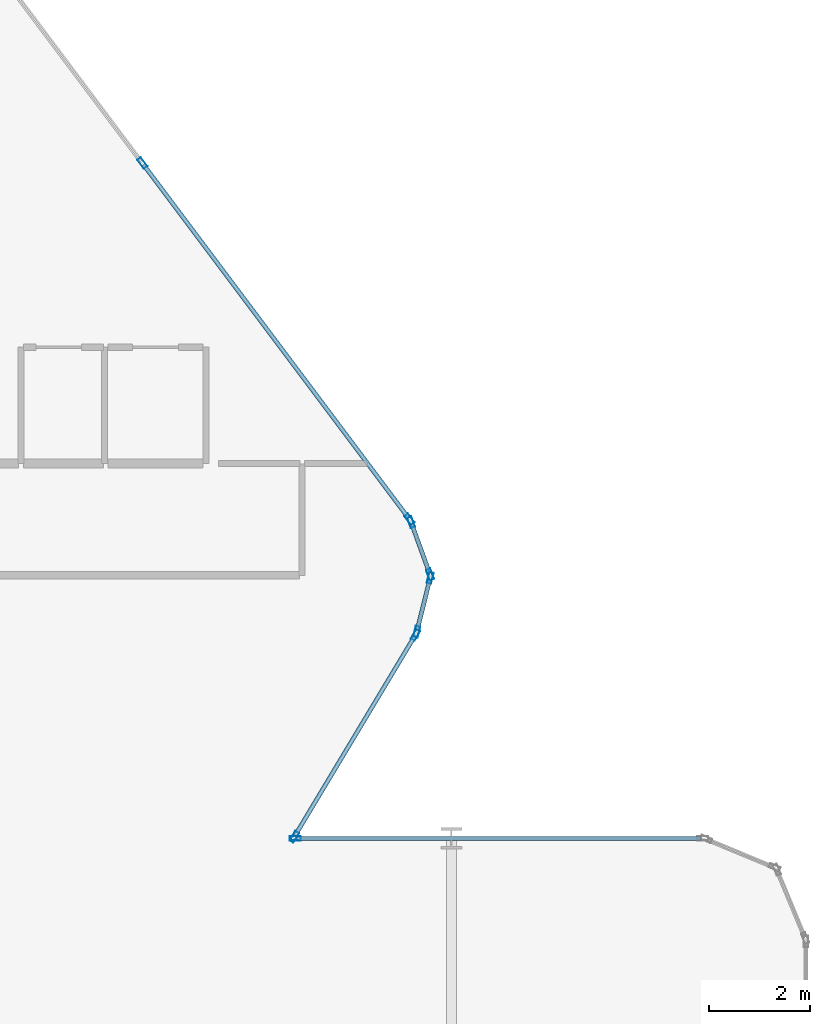
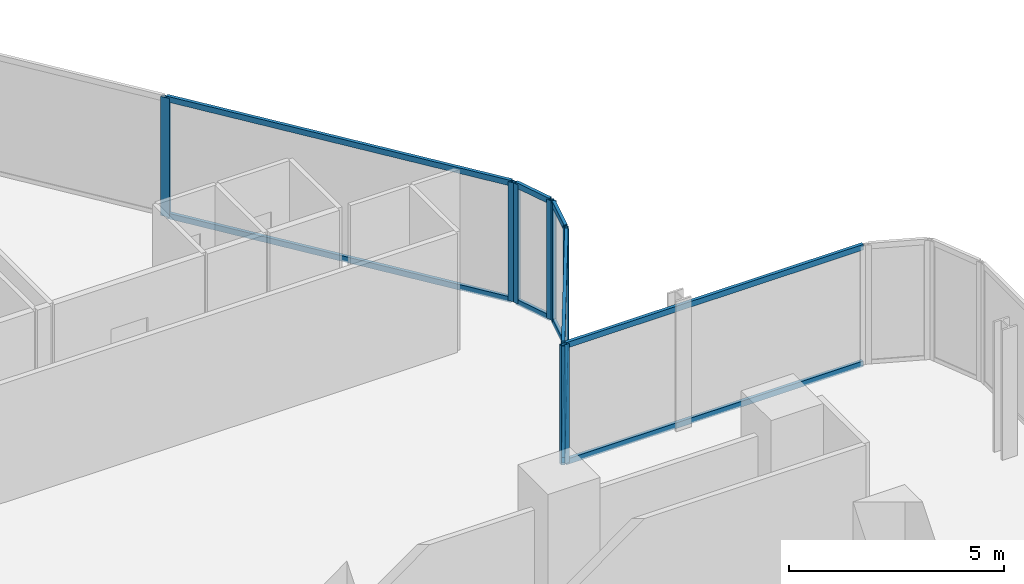
# One storey, part 15 of 33: 19 members, 5 elements without a shape of their own.
"""IFC4 building model written with IfcOpenShell, lengths in metres."""

from ifc_helpers import new_model, si_unit, direction, frame, origin, origin_2d, place, context, subcontext, project, spatial, hollow_rectangle, extrude, material, layer, layer_set, material_profile, profile_set, type_object, element, aggregate, save


model = new_model("IFC4")

# Units and contexts
model_context = context("Model", 3, precision=1e-05, world=origin(), true_north=direction((0.0, 1.0)))
body_context = subcontext(model_context, "Body", "Model", "MODEL_VIEW")
ifc_project = project(units=[si_unit("LENGTHUNIT", "METRE"), si_unit("AREAUNIT", "SQUARE_METRE"), si_unit("VOLUMEUNIT", "CUBIC_METRE"), si_unit("PLANEANGLEUNIT", "RADIAN"), si_unit("MASSUNIT", "GRAM", prefix="KILO")], contexts=[model_context])

# Site, building, storey
site_placement = place(None, origin())
site = spatial("IfcSite", under=ifc_project, at=site_placement, CompositionType="ELEMENT")
building_placement = place(site_placement, origin())
building = spatial("IfcBuilding", under=site, at=building_placement, Name="Keshet Zoharim Tower", CompositionType="ELEMENT")
storey_placement = place(building_placement, frame((0.0, 0.0, 35.10009765625)))
storey = spatial("IfcBuildingStorey", under=building, at=storey_placement, Name="L07", CompositionType="ELEMENT", Elevation=35.10009765625)

# Curtain wall, members
ifc_material = material(Name="Aluminium 6063-T6", Category="aluminium")
ifc_layer_1 = layer(ifc_material, 0.169921875)
ifc_layer_set_1 = layer_set([ifc_layer_1], Name="Aluminium 6063-T6")
curtain_wall_type_1 = type_object("IfcCurtainWallType", Name="CW-SYS-02", PredefinedType="NOTDEFINED", material=ifc_layer_set_1)
curtain_wall_1_placement = place(storey_placement, origin())
curtain_wall_1 = element("IfcCurtainWall", 1, at=curtain_wall_1_placement, inside=storey, type_object=curtain_wall_type_1, Name="L07 Unitised Curtain Wall 09", PredefinedType="NOTDEFINED")
ifc_material_profile_1 = material_profile(ifc_material, hollow_rectangle(XDim=0.090087890625, YDim=0.219970703125, WallThickness=0.0048828125, at=origin_2d()), Name="MUL-90x220")
ifc_profile_set_1 = profile_set([ifc_material_profile_1], Name="Aluminium 6063-T6")
member_type_1 = type_object("IfcMemberType", Name="CWM-M22", PredefinedType="MULLION", material=ifc_profile_set_1)
member_1_placement = place(storey_placement, frame((56.896484375, 46.0380859375, 0.0), z_axis=(0.0, 0.0, 1.0), x_axis=(0.799999999998, 0.600000000002, 0.0)))
member_1 = element("IfcMember", 2, at=member_1_placement, type_object=member_type_1, Name="CW-02 mullion 2", PredefinedType="MULLION", context=body_context, shape_type="SweptSolid", body=[
    extrude(hollow_rectangle(XDim=0.090087890625, YDim=0.219970703125, WallThickness=0.0048828125, at=origin_2d()), origin(), (0.0, 0.0, 1.0), 3.385009765625),
])
member_2_placement = place(storey_placement, frame((62.172119140625, 39.00390625, 0.0), z_axis=(0.0, 0.0, 1.0), x_axis=(0.799999999998, 0.600000000002, 0.0)))
member_2 = element("IfcMember", 3, at=member_2_placement, type_object=member_type_1, Name="CW-02 mullion 3", PredefinedType="MULLION", context=body_context, shape_type="SweptSolid", body=[
    extrude(hollow_rectangle(XDim=0.090087890625, YDim=0.219970703125, WallThickness=0.0048828125, at=origin_2d()), origin(), (0.0, 0.0, 1.0), 3.385009765625),
])

curtain_wall_2_placement = place(storey_placement, origin())
curtain_wall_2 = element("IfcCurtainWall", 4, at=curtain_wall_2_placement, inside=storey, type_object=curtain_wall_type_1, Name="L07 Unitised Curtain Wall 10", PredefinedType="NOTDEFINED")
member_3_placement = place(storey_placement, frame((62.204833984375, 38.943115234375, 0.0), z_axis=(0.0, 0.0, 1.0), x_axis=(0.940317877544, 0.340297354046, 0.0)))
member_3 = element("IfcMember", 5, at=member_3_placement, type_object=member_type_1, Name="CW-02 mullion 1", PredefinedType="MULLION", context=body_context, shape_type="SweptSolid", body=[
    extrude(hollow_rectangle(XDim=0.090087890625, YDim=0.219970703125, WallThickness=0.0048828125, at=origin_2d()), origin(), (0.0, 0.0, 1.0), 3.385009765625),
])
member_4_placement = place(storey_placement, frame((62.578125, 37.911865234375, 0.0), z_axis=(0.0, 0.0, 1.0), x_axis=(0.940317877544, 0.340297354046, 0.0)))
member_4 = element("IfcMember", 6, at=member_4_placement, type_object=member_type_1, Name="CW-02 mullion 2", PredefinedType="MULLION", context=body_context, shape_type="SweptSolid", body=[
    extrude(hollow_rectangle(XDim=0.090087890625, YDim=0.219970703125, WallThickness=0.0048828125, at=origin_2d()), origin(), (0.0, 0.0, 1.0), 3.385009765625),
])

curtain_wall_3_placement = place(storey_placement, origin())
curtain_wall_3 = element("IfcCurtainWall", 7, at=curtain_wall_3_placement, inside=storey, type_object=curtain_wall_type_1, Name="L07 Unitised Curtain Wall 11", PredefinedType="NOTDEFINED")
member_5_placement = place(storey_placement, frame((62.58154296875, 37.844970703125, 0.0), z_axis=(0.0, 0.0, 1.0), x_axis=(0.970343857447, -0.241728770141, 0.0)))
member_5 = element("IfcMember", 8, at=member_5_placement, type_object=member_type_1, Name="CW-02 mullion 1", PredefinedType="MULLION", context=body_context, shape_type="SweptSolid", body=[
    extrude(hollow_rectangle(XDim=0.090087890625, YDim=0.219970703125, WallThickness=0.0048828125, at=origin_2d()), origin(), (0.0, 0.0, 1.0), 3.385009765625),
])
member_6_placement = place(storey_placement, frame((62.31640625, 36.781005859375, 0.0), z_axis=(0.0, 0.0, 1.0), x_axis=(0.970343857447, -0.241728770141, 0.0)))
member_6 = element("IfcMember", 9, at=member_6_placement, type_object=member_type_1, Name="CW-02 mullion 2", PredefinedType="MULLION", context=body_context, shape_type="SweptSolid", body=[
    extrude(hollow_rectangle(XDim=0.090087890625, YDim=0.219970703125, WallThickness=0.0048828125, at=origin_2d()), origin(), (0.0, 0.0, 1.0), 3.385009765625),
])

ifc_layer_2 = layer(ifc_material, 0.179931640625)
ifc_layer_set_2 = layer_set([ifc_layer_2], Name="Aluminium 6063-T6")
curtain_wall_type_2 = type_object("IfcCurtainWallType", Name="CW-SYS-01", PredefinedType="NOTDEFINED", material=ifc_layer_set_2)
curtain_wall_4_placement = place(storey_placement, origin())
curtain_wall_4 = element("IfcCurtainWall", 10, at=curtain_wall_4_placement, inside=storey, type_object=curtain_wall_type_2, Name="L07 Unitised Curtain Wall 12", PredefinedType="NOTDEFINED")
member_7_placement = place(storey_placement, frame((62.2900390625, 36.717041015625, 0.0), z_axis=(0.0, 0.0, 1.0), x_axis=(0.857511621163, -0.51446459506, 0.0)))
member_7 = element("IfcMember", 11, at=member_7_placement, type_object=member_type_1, Name="CW-01 mullion 1", PredefinedType="MULLION", context=body_context, shape_type="SweptSolid", body=[
    extrude(hollow_rectangle(XDim=0.090087890625, YDim=0.219970703125, WallThickness=0.0048828125, at=origin_2d()), origin(), (0.0, 0.0, 1.0), 3.385009765625),
])
member_8_placement = place(storey_placement, frame((59.89794921875, 32.72998046875, 0.0), z_axis=(0.0, 0.0, 1.0), x_axis=(0.857511621163, -0.51446459506, 0.0)))
member_8 = element("IfcMember", 12, at=member_8_placement, type_object=member_type_1, Name="CW-01 mullion 2", PredefinedType="MULLION", context=body_context, shape_type="SweptSolid", body=[
    extrude(hollow_rectangle(XDim=0.090087890625, YDim=0.219970703125, WallThickness=0.0048828125, at=origin_2d()), origin(), (0.0, 0.0, 1.0), 3.385009765625),
])

# Curtain wall, member
curtain_wall_5_placement = place(storey_placement, origin())
curtain_wall_5 = element("IfcCurtainWall", 13, at=curtain_wall_5_placement, inside=storey, type_object=curtain_wall_type_1, Name="L07 Unitised Curtain Wall 13", PredefinedType="NOTDEFINED")
member_9_placement = place(storey_placement, frame((59.9150390625, 32.699951171875, 0.0), z_axis=(0.0, 0.0, 1.0), x_axis=(0.0, 1.0, 0.0)))
member_9 = element("IfcMember", 14, at=member_9_placement, type_object=member_type_1, Name="CW-02 mullion 1", PredefinedType="MULLION", context=body_context, shape_type="SweptSolid", body=[
    extrude(hollow_rectangle(XDim=0.090087890625, YDim=0.219970703125, WallThickness=0.0048828125, at=origin_2d()), origin(), (0.0, 0.0, 1.0), 3.385009765625),
])

# Member
ifc_material_profile_2 = material_profile(ifc_material, hollow_rectangle(XDim=0.0849609375, YDim=0.159912109375, WallThickness=0.00439453125, at=origin_2d()), Name="TRN-85x160")
ifc_profile_set_2 = profile_set([ifc_material_profile_2], Name="Aluminium 6063-T6")
member_type_2 = type_object("IfcMemberType", Name="CWT-T16", PredefinedType="USERDEFINED", material=ifc_profile_set_2)
member_10_placement = place(storey_placement, frame((56.91748046875, 46.010009765625, 0.034912109375), z_axis=(0.599991043201, -0.800006717521, 0.0), x_axis=(0.800006717521, 0.599991043201, 0.0)))
member_10 = element("IfcMember", 15, at=member_10_placement, type_object=member_type_2, Name="CW-02 transom 2.1", ObjectType="TRANSOM", PredefinedType="USERDEFINED", context=body_context, shape_type="SweptSolid", body=[
    extrude(hollow_rectangle(XDim=0.0849609375, YDim=0.159912109375, WallThickness=0.00439453125, at=origin_2d()), origin(), (0.0, 0.0, 1.0), 8.722412109375),
])

member_11_placement = place(storey_placement, frame((56.91748046875, 46.010009765625, 3.349853515625), z_axis=(0.599991043201, -0.800006717521, 0.0), x_axis=(0.800006717521, 0.599991043201, 0.0)))
member_11 = element("IfcMember", 16, at=member_11_placement, type_object=member_type_2, Name="CW-02 transom 2.2", ObjectType="TRANSOM", PredefinedType="USERDEFINED", context=body_context, shape_type="SweptSolid", body=[
    extrude(hollow_rectangle(XDim=0.0849609375, YDim=0.159912109375, WallThickness=0.00439453125, at=origin_2d()), origin(), (0.0, 0.0, 1.0), 8.722412109375),
])

aggregate(curtain_wall_1, [member_1, member_2, member_10, member_11])

member_12_placement = place(storey_placement, frame((62.216796875, 38.91015625, 0.034912109375), z_axis=(0.340310579984, -0.940313091024, 0.0), x_axis=(0.940313091024, 0.340310579984, 0.0)))
member_12 = element("IfcMember", 17, at=member_12_placement, type_object=member_type_2, Name="CW-02 transom 1.1", ObjectType="TRANSOM", PredefinedType="USERDEFINED", context=body_context, shape_type="SweptSolid", body=[
    extrude(hollow_rectangle(XDim=0.0849609375, YDim=0.159912109375, WallThickness=0.00439453125, at=origin_2d()), origin(), (0.0, 0.0, 1.0), 1.026611328125),
])

member_13_placement = place(storey_placement, frame((62.216796875, 38.91015625, 3.349853515625), z_axis=(0.340310579984, -0.940313091024, 0.0), x_axis=(0.940313091024, 0.340310579984, 0.0)))
member_13 = element("IfcMember", 18, at=member_13_placement, type_object=member_type_2, Name="CW-02 transom 1.2", ObjectType="TRANSOM", PredefinedType="USERDEFINED", context=body_context, shape_type="SweptSolid", body=[
    extrude(hollow_rectangle(XDim=0.0849609375, YDim=0.159912109375, WallThickness=0.00439453125, at=origin_2d()), origin(), (0.0, 0.0, 1.0), 1.026611328125),
])

aggregate(curtain_wall_2, [member_3, member_4, member_12, member_13])

member_14_placement = place(storey_placement, frame((62.572998046875, 37.81103515625, 0.034912109375), z_axis=(-0.241640143717, -0.970365931463, 0.0), x_axis=(0.970365931463, -0.241640143717, 0.0)))
member_14 = element("IfcMember", 19, at=member_14_placement, type_object=member_type_2, Name="CW-02 transom 1.1", ObjectType="TRANSOM", PredefinedType="USERDEFINED", context=body_context, shape_type="SweptSolid", body=[
    extrude(hollow_rectangle(XDim=0.0849609375, YDim=0.159912109375, WallThickness=0.00439453125, at=origin_2d()), origin(), (0.0, 0.0, 1.0), 1.026611328125),
])

member_15_placement = place(storey_placement, frame((62.572998046875, 37.81103515625, 3.349853515625), z_axis=(-0.241640143717, -0.970365931463, 0.0), x_axis=(0.970365931463, -0.241640143717, 0.0)))
member_15 = element("IfcMember", 20, at=member_15_placement, type_object=member_type_2, Name="CW-02 transom 1.2", ObjectType="TRANSOM", PredefinedType="USERDEFINED", context=body_context, shape_type="SweptSolid", body=[
    extrude(hollow_rectangle(XDim=0.0849609375, YDim=0.159912109375, WallThickness=0.00439453125, at=origin_2d()), origin(), (0.0, 0.0, 1.0), 1.026611328125),
])

aggregate(curtain_wall_3, [member_5, member_6, member_14, member_15])

member_16_placement = place(storey_placement, frame((62.27197265625, 36.68701171875, 0.034912109375), z_axis=(-0.514456555213, -0.857516444622, 0.0), x_axis=(0.857516444622, -0.514456555213, 0.0)))
member_16 = element("IfcMember", 21, at=member_16_placement, type_object=member_type_2, Name="CW-01 transom 1.1", ObjectType="TRANSOM", PredefinedType="USERDEFINED", context=body_context, shape_type="SweptSolid", body=[
    extrude(hollow_rectangle(XDim=0.0849609375, YDim=0.159912109375, WallThickness=0.00439453125, at=origin_2d()), origin(), (0.0, 0.0, 1.0), 4.57958984375),
])

member_17_placement = place(storey_placement, frame((62.27197265625, 36.68701171875, 3.349853515625), z_axis=(-0.514456555213, -0.857516444622, 0.0), x_axis=(0.857516444622, -0.514456555213, 0.0)))
member_17 = element("IfcMember", 22, at=member_17_placement, type_object=member_type_2, Name="CW-01 transom 1.2", ObjectType="TRANSOM", PredefinedType="USERDEFINED", context=body_context, shape_type="SweptSolid", body=[
    extrude(hollow_rectangle(XDim=0.0849609375, YDim=0.159912109375, WallThickness=0.00439453125, at=origin_2d()), origin(), (0.0, 0.0, 1.0), 4.57958984375),
])

aggregate(curtain_wall_4, [member_7, member_8, member_16, member_17])

member_18_placement = place(storey_placement, frame((59.949951171875, 32.699951171875, 0.034912109375), z_axis=(1.0, 0.0, 0.0), x_axis=(0.0, 1.0, 0.0)))
member_18 = element("IfcMember", 23, at=member_18_placement, type_object=member_type_2, Name="CW-02 transom 1.1", ObjectType="TRANSOM", PredefinedType="USERDEFINED", context=body_context, shape_type="SweptSolid", body=[
    extrude(hollow_rectangle(XDim=0.0849609375, YDim=0.159912109375, WallThickness=0.00439453125, at=origin_2d()), origin(), (0.0, 0.0, 1.0), 7.97998046875),
])

member_19_placement = place(storey_placement, frame((59.949951171875, 32.699951171875, 3.349853515625), z_axis=(1.0, 0.0, 0.0), x_axis=(0.0, 1.0, 0.0)))
member_19 = element("IfcMember", 24, at=member_19_placement, type_object=member_type_2, Name="CW-02 transom 1.2", ObjectType="TRANSOM", PredefinedType="USERDEFINED", context=body_context, shape_type="SweptSolid", body=[
    extrude(hollow_rectangle(XDim=0.0849609375, YDim=0.159912109375, WallThickness=0.00439453125, at=origin_2d()), origin(), (0.0, 0.0, 1.0), 7.97998046875),
])

aggregate(curtain_wall_5, [member_9, member_18, member_19])

save(model, "model.ifc")
